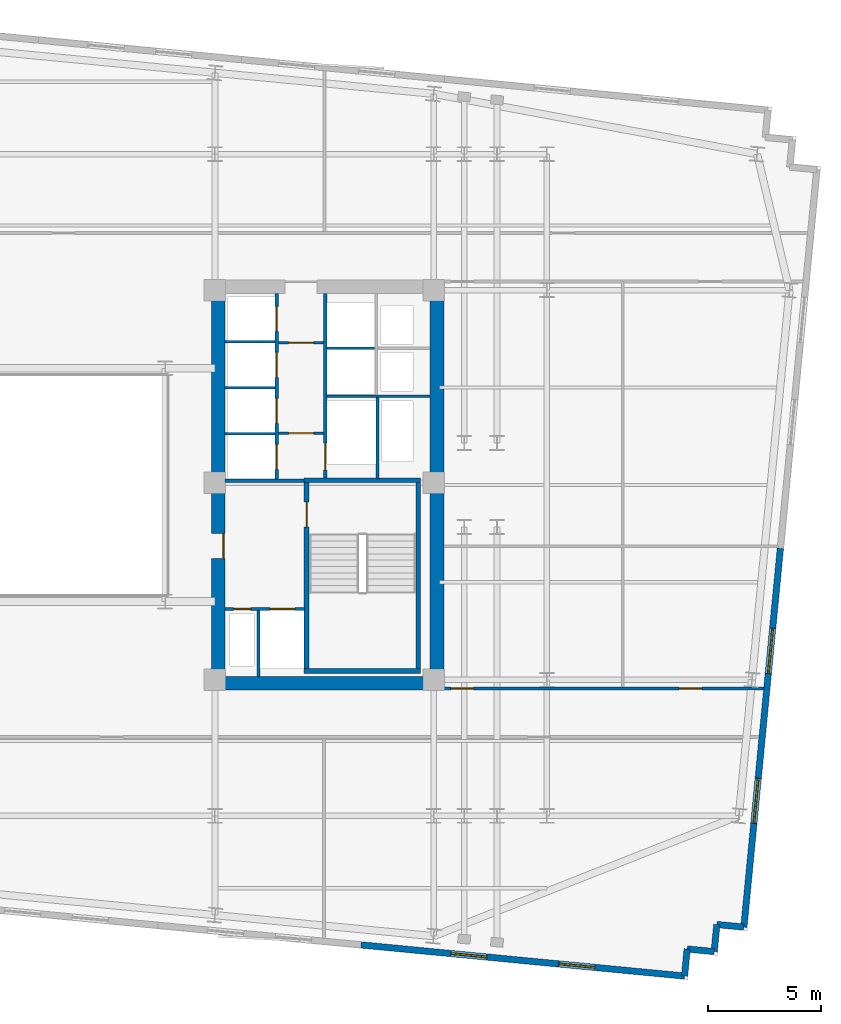
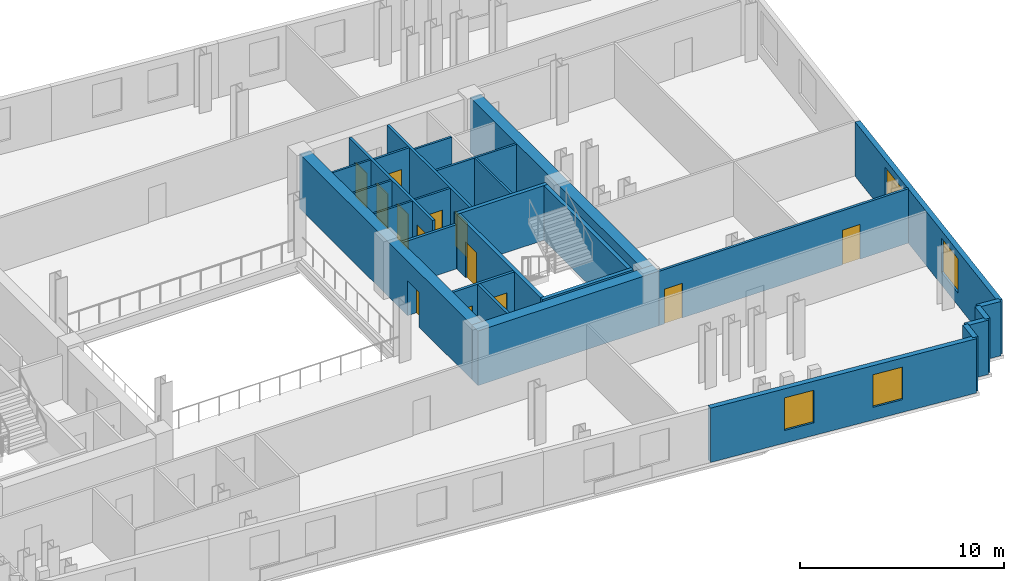
# One storey, part 5 of 9: 27 walls, 13 doors, 4 windows, 17 openings.
"""IFC4 building model written with IfcOpenShell, lengths in metres."""

import ifcopenshell
import ifcopenshell.guid

model = None  # the IFC model being written
_history = None  # IfcOwnerHistory: only IFC2X3 demands one
_inside = {}  # id of a spatial element -> (the spatial element, [elements in it])
_under = {}  # id of a project, library or spatial element -> (it, [spatial elements below it])
_declared = {}  # id of a project -> (the project, [libraries it declares])
_typed = {}  # id of a type object -> (the type object, [elements of that type])
_made_of = {}  # id of a material, layer set ... -> (it, [elements and type objects made of it])


def new_model(schema):
    """Start an empty IFC model of exactly this schema.

    Asked for "IFC4X3", IfcOpenShell would pick the latest addendum, in which some entities
    have other attributes; the version numbers below select the first issue.
    IFC2X3 requires an IfcOwnerHistory on every rooted entity: one is made here for all.
    """
    global model, _history
    if schema == "IFC4X3":
        model = ifcopenshell.file(schema_version=(4, 3, 0, 0))
    else:
        model = ifcopenshell.file(schema=schema)
    _inside.clear()
    _under.clear()
    _declared.clear()
    _typed.clear()
    _made_of.clear()
    _history = None
    if model.schema == "IFC2X3":
        org = make("IfcOrganization", Name="unknown")
        user = make(
            "IfcPersonAndOrganization",
            ThePerson=make("IfcPerson", FamilyName="unknown"),
            TheOrganization=org,
        )
        app = make(
            "IfcApplication",
            ApplicationDeveloper=org,
            Version="unknown",
            ApplicationFullName="unknown",
            ApplicationIdentifier="unknown",
        )
        _history = make(
            "IfcOwnerHistory",
            OwningUser=user,
            OwningApplication=app,
            ChangeAction="ADDED",
            CreationDate=0,
        )
    return model


def make(cls, **values):
    """One entity of the class cls with the attributes given. An attribute that is None is left unset."""
    return model.create_entity(
        cls, **{name: value for name, value in values.items() if value is not None}
    )


def rooted(cls, **values):
    """An entity with a GlobalId (a new one), such as an element, a storey or a relation."""
    return make(cls, GlobalId=ifcopenshell.guid.new(), OwnerHistory=_history, **values)


def si_unit(unit_type, name, prefix=None):
    """IfcSIUnit, for example si_unit("LENGTHUNIT", "METRE", prefix="MILLI")."""
    return make("IfcSIUnit", UnitType=unit_type, Prefix=prefix, Name=name)


def assignment(units):
    """IfcUnitAssignment: the units of a project."""
    return None if units is None else make("IfcUnitAssignment", Units=units)


def point(xyz):
    """IfcCartesianPoint."""
    return None if xyz is None else make("IfcCartesianPoint", Coordinates=xyz)


def direction(xyz):
    """IfcDirection."""
    return None if xyz is None else make("IfcDirection", DirectionRatios=xyz)


def frame(location, z_axis=None, x_axis=None):
    """IfcAxis2Placement3D, a coordinate frame: its origin and axes. An axis left out is left unset."""
    return make(
        "IfcAxis2Placement3D",
        Location=point(location),
        Axis=direction(z_axis),
        RefDirection=direction(x_axis),
    )


def frame_2d(location, x_axis=None):
    """IfcAxis2Placement2D, a coordinate frame in the plane: its origin and x axis."""
    return make(
        "IfcAxis2Placement2D", Location=point(location), RefDirection=direction(x_axis)
    )


def origin():
    """The frame at (0, 0, 0) with its axes left unset."""
    return frame((0.0, 0.0, 0.0))


def place(relative_to, where):
    """IfcLocalPlacement: puts the frame where relative to a parent placement (None: the world)."""
    return make(
        "IfcLocalPlacement", PlacementRelTo=relative_to, RelativePlacement=where
    )


def context(
    kind, dimensions, precision=None, world=None, true_north=None, identifier=None
):
    """IfcGeometricRepresentationContext, for example the 3D "Model" context."""
    return make(
        "IfcGeometricRepresentationContext",
        ContextIdentifier=identifier,
        ContextType=kind,
        CoordinateSpaceDimension=dimensions,
        Precision=precision,
        WorldCoordinateSystem=world,
        TrueNorth=true_north,
    )


def subcontext(parent, identifier, kind, view, scale=None):
    """IfcGeometricRepresentationSubContext, for example "Body" below "Model"."""
    return make(
        "IfcGeometricRepresentationSubContext",
        ContextIdentifier=identifier,
        ContextType=kind,
        ParentContext=parent,
        TargetScale=scale,
        TargetView=view,
    )


def project(units=None, contexts=None):
    """IfcProject with its units and contexts."""
    return rooted(
        "IfcProject",
        Name="project",
        RepresentationContexts=contexts,
        UnitsInContext=assignment(units),
    )


def spatial(cls, under=None, at=None, **own):
    """A site, building, storey or space (cls), placed at a placement, below another one or the project."""
    s = rooted(cls, ObjectPlacement=at, **own)
    if under is not None:
        _under.setdefault(under.id(), (under, []))[1].append(s)
    return s


def profile(cls, at=None, kind="AREA", **sizes):
    """A parametric profile (cls). Its sizes go by their IFC names, for example OverallWidth=200.0."""
    return make(cls, ProfileType=kind, Position=at, **sizes)


def rectangle(**sizes):
    """IfcRectangleProfileDef."""
    return profile("IfcRectangleProfileDef", **sizes)


def extrude(swept, where, along, depth):
    """IfcExtrudedAreaSolid: the profile swept, set in the frame where, extruded along a direction by depth."""
    return make(
        "IfcExtrudedAreaSolid",
        SweptArea=swept,
        Position=where,
        ExtrudedDirection=direction(along),
        Depth=depth,
    )


def shape(context_of_items, identifier, shape_type, items):
    """IfcShapeRepresentation: the items that make up one representation, for example the "Body"."""
    return make(
        "IfcShapeRepresentation",
        ContextOfItems=context_of_items,
        RepresentationIdentifier=identifier,
        RepresentationType=shape_type,
        Items=items,
    )


def material(Name=None, Category=None):
    """IfcMaterial."""
    return make("IfcMaterial", Name=Name, Category=Category)


def layer(
    of_material, thickness, ventilated=None, Name=None, Category=None, Priority=None
):
    """IfcMaterialLayer: one layer of a wall or slab, of a material (None: an air gap)."""
    return make(
        "IfcMaterialLayer",
        Material=of_material,
        LayerThickness=thickness,
        IsVentilated=ventilated,
        Name=Name,
        Category=Category,
        Priority=Priority,
    )


def layer_set(layers, Name=None):
    """IfcMaterialLayerSet."""
    return make("IfcMaterialLayerSet", MaterialLayers=layers, LayerSetName=Name)


def made_of(thing, what):
    """Note that an element or type object is made of a material, layer set ...; save() writes the relation."""
    if what is not None:
        _made_of.setdefault(what.id(), (what, []))[1].append(thing)
    return thing


def type_object(cls, material=None, **own):
    """A type object (cls), such as IfcWallType, which elements share."""
    return made_of(rooted(cls, **own), material)


def element(
    cls,
    number,
    at=None,
    inside=None,
    cuts=None,
    type_object=None,
    material=None,
    context=None,
    identifier="Body",
    shape_type=None,
    held_by="IfcProductDefinitionShape",
    body=None,
    shapes=None,
    **own,
):
    """One element of the class cls, such as IfcWall. Its Tag is "e" and its number.

    at: its placement. inside: the storey or other place that contains it. cuts: it is an
    opening in that element (IfcRelVoidsElement). A single representation is given by context,
    identifier, shape_type and body (its items); several are given by shapes. held_by: the class
    of the entity that holds the representations. save() writes the other relations.
    """
    e = rooted(cls, Tag="e%d" % number, ObjectPlacement=at, **own)
    if body is not None:
        shapes = [shape(context, identifier, shape_type, body)]
    if shapes is not None:
        e.Representation = make(held_by, Representations=shapes)
    if inside is not None:
        _inside.setdefault(inside.id(), (inside, []))[1].append(e)
    if cuts is not None:
        rooted(
            "IfcRelVoidsElement", RelatingBuildingElement=cuts, RelatedOpeningElement=e
        )
    if type_object is not None:
        _typed.setdefault(type_object.id(), (type_object, []))[1].append(e)
    return made_of(e, material)


def fill(opening, filler):
    """IfcRelFillsElement: the door or window that sits in an opening."""
    return rooted(
        "IfcRelFillsElement",
        RelatingOpeningElement=opening,
        RelatedBuildingElement=filler,
    )


def aggregate(whole, parts):
    """IfcRelAggregates: a whole, such as a stair, and the parts it consists of."""
    return rooted("IfcRelAggregates", RelatingObject=whole, RelatedObjects=parts)


def save(model, path):
    """Write the relations noted so far, then the file.

    IfcRelAggregates (storeys below a building ...), IfcRelContainedInSpatialStructure (elements
    in a storey), IfcRelDefinesByType, IfcRelAssociatesMaterial and IfcRelDeclares: one each for
    every whole, place, type object, material and project.
    """
    for whole, parts in _under.values():
        aggregate(whole, parts)
    for where, things in _inside.values():
        rooted(
            "IfcRelContainedInSpatialStructure",
            RelatedElements=things,
            RelatingStructure=where,
        )
    for kind, things in _typed.values():
        rooted("IfcRelDefinesByType", RelatedObjects=things, RelatingType=kind)
    for what, things in _made_of.values():
        rooted("IfcRelAssociatesMaterial", RelatedObjects=things, RelatingMaterial=what)
    for by, libraries in _declared.values():
        rooted("IfcRelDeclares", RelatingContext=by, RelatedDefinitions=libraries)
    model.write(path)


model = new_model("IFC4")

# Units and contexts
model_context = context("Model", 3, precision=1e-05, world=origin(), true_north=direction((0.0, 1.0)))
body_context = subcontext(model_context, "Body", "Model", "MODEL_VIEW")
ifc_project = project(units=[si_unit("LENGTHUNIT", "METRE"), si_unit("AREAUNIT", "SQUARE_METRE"), si_unit("VOLUMEUNIT", "CUBIC_METRE"), si_unit("PLANEANGLEUNIT", "RADIAN"), si_unit("MASSUNIT", "GRAM", prefix="KILO")], contexts=[model_context])

# Site, building, storey
site_placement = place(None, origin())
site = spatial("IfcSite", under=ifc_project, at=site_placement, CompositionType="ELEMENT")
building_placement = place(site_placement, origin())
building = spatial("IfcBuilding", under=site, at=building_placement, Name="Velakula Bourse", CompositionType="ELEMENT")
storey_placement = place(building_placement, frame((0.0, 0.0, 167.300048828125)))
storey = spatial("IfcBuildingStorey", under=building, at=storey_placement, Name="L45", CompositionType="ELEMENT", Elevation=167.300048828125)

# Wall, opening, door
ifc_material_1 = material(Name="Concrete M50 (fck 50 MPa)", Category="concrete")
ifc_layer_1 = layer(ifc_material_1, 0.2099609375, Name="Concrete M50 (fck 50 MPa)", Category="concrete")
ifc_layer_set_1 = layer_set([ifc_layer_1], Name="Concrete M50 (fck 50 MPa)")
wall_type_1 = type_object("IfcWallType", Name="WL-CORE-210", PredefinedType="SHEAR", material=ifc_layer_set_1)
wall_1_placement = place(storey_placement, frame((12.9951171875, -8.10009765625, 0.0), z_axis=(0.0, 0.0, 1.0), x_axis=(0.0, 1.0, 0.0)))
wall_1 = element("IfcWall", 1, at=wall_1_placement, inside=storey, type_object=wall_type_1, Name="L45 Core E Stairwell Shear Wall IN", PredefinedType="SHEAR", context=body_context, shape_type="SweptSolid", body=[
    extrude(rectangle(XDim=8.2001953125, YDim=0.2099609375, at=frame_2d((4.10009765625, 0.0))), origin(), (0.0, 0.0, 1.0), 3.27001953125),
])
opening_1_placement = place(wall_1_placement, frame((6.25, 0.0, 0.0)))
opening_1 = element("IfcOpeningElement", 2, at=opening_1_placement, cuts=wall_1, Name="Opening D-STE1", PredefinedType="OPENING", context=body_context, shape_type="SweptSolid", body=[
    extrude(rectangle(XDim=1.10009765625, YDim=2.14990234375, at=frame_2d((0.550048828125, 1.074951171875))), frame((0.0, 0.114990234375, 0.0), z_axis=(0.0, -1.0, 0.0), x_axis=(1.0, 0.0, 0.0)), (0.0, 0.0, 1.0), 0.22998046875),
])
ifc_material_2 = material(Name="Galvanised painted hollow steel fire door", Category="steel")
door_type_1 = type_object("IfcDoorType", Name="DR-FD120-1100x2150", OperationType="NOTDEFINED", PredefinedType="DOOR", material=ifc_material_2)
door_1_placement = place(opening_1_placement, origin())
door_1 = element("IfcDoor", 3, at=door_1_placement, inside=storey, type_object=door_type_1, Name="L45 Stair ST-E1 Fire Door", OperationType="SINGLE_SWING_RIGHT", OverallHeight=2.14990234375, OverallWidth=1.10009765625, PredefinedType="DOOR", context=body_context, shape_type="SweptSolid", body=[
    extrude(rectangle(XDim=1.10009765625, YDim=2.14990234375, at=frame_2d((0.550048828125, 1.074951171875))), frame((0.0, 0.02490234375, 0.0), z_axis=(0.0, -1.0, 0.0), x_axis=(1.0, 0.0, 0.0)), (0.0, 0.0, 1.0), 0.050048828125),
])
fill(opening_1, door_1)

# Walls
wall_2_placement = place(storey_placement, frame((17.925048828125, -8.10009765625, 0.0), z_axis=(0.0, 0.0, 1.0), x_axis=(0.0, 1.0, 0.0)))
element("IfcWall", 4, at=wall_2_placement, inside=storey, type_object=wall_type_1, Name="L45 Core E Stairwell Shear Wall OUT", PredefinedType="SHEAR", context=body_context, shape_type="SweptSolid", body=[
    extrude(rectangle(XDim=8.2001953125, YDim=0.2099609375, at=frame_2d((4.10009765625, 0.0))), origin(), (0.0, 0.0, 1.0), 3.27001953125),
])
for number, where, z_axis, x_axis, name in (
    (5, (12.889892578125, -8.205078125, 0.0), (0.0, 0.0, 1.0), (1.0, 0.0, 0.0), "L45 Core E Stairwell Shear Wall S"),
    (6, (18.030029296875, 0.205078125, 0.0), (0.0, 0.0, 1.0), (-1.0, 0.0, 0.0), "L45 Core E Stairwell Shear Wall N"),
):
    element("IfcWall", number, at=place(storey_placement, frame(where, z_axis=z_axis, x_axis=x_axis)), inside=storey, type_object=wall_type_1, Name=name, PredefinedType="SHEAR", context=body_context, shape_type="SweptSolid", body=[
        extrude(rectangle(XDim=5.14013671875, YDim=0.2099609375, at=frame_2d((2.570068359375, 0.0))), origin(), (0.0, 0.0, 1.0), 3.27001953125),
    ])
ifc_material_3 = material(Name="Concrete M70 (fck 70 MPa)", Category="concrete")
ifc_layer_2 = layer(ifc_material_3, 0.60009765625, Name="Concrete M70 (fck 70 MPa)", Category="concrete")
ifc_layer_set_2 = layer_set([ifc_layer_2], Name="Concrete M70 (fck 70 MPa)")
wall_type_2 = type_object("IfcWallType", Name="WL-CORE-600", PredefinedType="SHEAR", material=ifc_layer_set_2)
wall_3_placement = place(storey_placement, frame((8.800048828125, -8.75, 0.0), z_axis=(0.0, 0.0, 1.0), x_axis=(1.0, 0.0, 0.0)))
element("IfcWall", 7, at=wall_3_placement, inside=storey, type_object=wall_type_2, Name="L45 Core E Shear Wall S", PredefinedType="SHEAR", context=body_context, shape_type="SweptSolid", body=[
    extrude(rectangle(XDim=10.25, YDim=0.60009765625, at=frame_2d((5.125, 0.0))), origin(), (0.0, 0.0, 1.0), 3.27001953125),
])

# Wall, opening, door
wall_4_placement = place(storey_placement, frame((9.10009765625, -8.449951171875, 0.0), z_axis=(0.0, 0.0, 1.0), x_axis=(0.0, 1.0, 0.0)))
wall_4 = element("IfcWall", 8, at=wall_4_placement, inside=storey, type_object=wall_type_2, Name="L45 Core E Shear Wall W", PredefinedType="SHEAR", context=body_context, shape_type="SweptSolid", body=[
    extrude(rectangle(XDim=16.89990234375, YDim=0.60009765625, at=frame_2d((8.449951171875, 0.0))), origin(), (0.0, 0.0, 1.0), 3.27001953125),
])
opening_2_placement = place(wall_4_placement, frame((5.199951171875, 0.0, 0.0)))
opening_2 = element("IfcOpeningElement", 9, at=opening_2_placement, cuts=wall_4, Name="Opening D-FLE", PredefinedType="OPENING", context=body_context, shape_type="SweptSolid", body=[
    extrude(rectangle(XDim=1.10009765625, YDim=2.080078125, at=frame_2d((0.550048828125, 1.0400390625))), frame((0.0, 0.31005859375, 0.0), z_axis=(0.0, -1.0, 0.0), x_axis=(1.0, 0.0, 0.0)), (0.0, 0.0, 1.0), 0.6201171875),
])
door_type_2 = type_object("IfcDoorType", Name="DR-FD120-1100", OperationType="NOTDEFINED", PredefinedType="DOOR", material=ifc_material_2)
door_2_placement = place(opening_2_placement, origin())
door_2 = element("IfcDoor", 10, at=door_2_placement, inside=storey, type_object=door_type_2, Name="L45 Firefighting Lobby E Corridor Fire Door", OperationType="SINGLE_SWING_RIGHT", OverallHeight=2.080078125, OverallWidth=1.10009765625, PredefinedType="DOOR", context=body_context, shape_type="SweptSolid", body=[
    extrude(rectangle(XDim=1.10009765625, YDim=2.080078125, at=frame_2d((0.550048828125, 1.0400390625))), frame((0.0, -0.205078125, 0.0), z_axis=(0.0, -1.0, 0.0), x_axis=(1.0, 0.0, 0.0)), (0.0, 0.0, 1.0), 0.050048828125),
])
fill(opening_2, door_2)

# Wall
wall_5_placement = place(storey_placement, frame((18.75, -8.449951171875, 0.0), z_axis=(0.0, 0.0, 1.0), x_axis=(0.0, 1.0, 0.0)))
element("IfcWall", 11, at=wall_5_placement, inside=storey, type_object=wall_type_2, Name="L45 Core E Shear Wall E", PredefinedType="SHEAR", context=body_context, shape_type="SweptSolid", body=[
    extrude(rectangle(XDim=16.89990234375, YDim=0.60009765625, at=frame_2d((8.449951171875, 0.0))), origin(), (0.0, 0.0, 1.0), 3.27001953125),
])

# Wall, openings, windows
ifc_material_4 = material(Name="Red kilned clay facing brick masonry", Category="masonry")
ifc_layer_3 = layer(ifc_material_4, 0.280029296875, Name="Red kilned clay facing brick masonry", Category="masonry")
ifc_layer_set_3 = layer_set([ifc_layer_3], Name="Red kilned clay facing brick masonry")
wall_type_3 = type_object("IfcWallType", Name="WL-EXT-BRK-280", PredefinedType="STANDARD", material=ifc_layer_set_3)
wall_6_placement = place(storey_placement, frame((29.672607421875, -21.669921875, 0.0), z_axis=(0.0, 0.0, 1.0), x_axis=(-0.995397230529, 0.095835032509, 0.0)))
wall_6 = element("IfcWall", 12, at=wall_6_placement, inside=storey, type_object=wall_type_3, Name="L45 S Brick Spandrel Wall B5", PredefinedType="STANDARD", context=body_context, shape_type="SweptSolid", body=[
    extrude(rectangle(XDim=14.33984375, YDim=0.280029296875, at=frame_2d((7.169921875, 0.0))), origin(), (0.0, 0.0, 1.0), 3.25),
])
opening_3_placement = place(wall_6_placement, frame((3.97998046875, 0.0, 0.760009765625)))
opening_3 = element("IfcOpeningElement", 13, at=opening_3_placement, cuts=wall_6, Name="Opening W-02", PredefinedType="OPENING", context=body_context, shape_type="SweptSolid", body=[
    extrude(rectangle(XDim=1.60009765625, YDim=1.949951171875, at=frame_2d((0.800048828125, 0.97509765625))), frame((0.0, 0.14990234375, 0.0), z_axis=(0.0, -1.0, 0.0), x_axis=(1.0, 0.0, 0.0)), (0.0, 0.0, 1.0), 0.300048828125),
])
opening_4_placement = place(wall_6_placement, frame((8.760009765625, 0.0, 0.760009765625)))
opening_4 = element("IfcOpeningElement", 14, at=opening_4_placement, cuts=wall_6, Name="Opening W-02", PredefinedType="OPENING", context=body_context, shape_type="SweptSolid", body=[
    extrude(rectangle(XDim=1.60009765625, YDim=1.949951171875, at=frame_2d((0.800048828125, 0.97509765625))), frame((0.0, 0.14990234375, 0.0), z_axis=(0.0, -1.0, 0.0), x_axis=(1.0, 0.0, 0.0)), (0.0, 0.0, 1.0), 0.300048828125),
])
ifc_material_5 = material(Name="Double-glazed solar-control Low-E glass", Category="glass")
window_type_1 = type_object("IfcWindowType", Name="WIN-TWR-1600x2100", PartitioningType="SINGLE_PANEL", PredefinedType="WINDOW", material=ifc_material_5)
window_1_placement = place(opening_3_placement, origin())
window_1 = element("IfcWindow", 15, at=window_1_placement, inside=storey, type_object=window_type_1, Name="L45 Deep-Set Recessed Window 1", OverallHeight=1.949951171875, OverallWidth=1.60009765625, PartitioningType="SINGLE_PANEL", PredefinedType="WINDOW", context=body_context, shape_type="SweptSolid", body=[
    extrude(rectangle(XDim=1.60009765625, YDim=1.949951171875, at=frame_2d((0.800048828125, 0.97509765625))), frame((0.0, 0.030029296875, 0.0), z_axis=(0.0, -1.0, 0.0), x_axis=(1.0, 0.0, 0.0)), (0.0, 0.0, 1.0), 0.06005859375),
])
fill(opening_3, window_1)
window_2_placement = place(opening_4_placement, origin())
window_2 = element("IfcWindow", 16, at=window_2_placement, inside=storey, type_object=window_type_1, Name="L45 Deep-Set Recessed Window 2", OverallHeight=1.949951171875, OverallWidth=1.60009765625, PartitioningType="SINGLE_PANEL", PredefinedType="WINDOW", context=body_context, shape_type="SweptSolid", body=[
    extrude(rectangle(XDim=1.60009765625, YDim=1.949951171875, at=frame_2d((0.800048828125, 0.97509765625))), frame((0.0, 0.030029296875, 0.0), z_axis=(0.0, -1.0, 0.0), x_axis=(1.0, 0.0, 0.0)), (0.0, 0.0, 1.0), 0.06005859375),
])
fill(opening_4, window_2)

wall_7_placement = place(storey_placement, frame((33.90087890625, -2.79833984375, 0.0), z_axis=(0.0, 0.0, 1.0), x_axis=(-0.095853434568, -0.99539545864, 0.0)))
wall_7 = element("IfcWall", 17, at=wall_7_placement, inside=storey, type_object=wall_type_3, Name="L45 E Brick End Wall W1", PredefinedType="STANDARD", context=body_context, shape_type="SweptSolid", body=[
    extrude(rectangle(XDim=16.7900390625, YDim=0.280029296875, at=frame_2d((8.39501953125, 0.0))), origin(), (0.0, 0.0, 1.0), 3.25),
])
opening_5_placement = place(wall_7_placement, frame((3.546630859375, 0.0, 0.760009765625)))
opening_5 = element("IfcOpeningElement", 18, at=opening_5_placement, cuts=wall_7, Name="Opening W-05", PredefinedType="OPENING", context=body_context, shape_type="SweptSolid", body=[
    extrude(rectangle(XDim=2.0, YDim=2.050048828125, at=frame_2d((1.0, 1.02490234375))), frame((0.0, 0.14990234375, 0.0), z_axis=(0.0, -1.0, 0.0), x_axis=(1.0, 0.0, 0.0)), (0.0, 0.0, 1.0), 0.300048828125),
])
opening_6_placement = place(wall_7_placement, frame((10.193359375, 0.0, 0.760009765625)))
opening_6 = element("IfcOpeningElement", 19, at=opening_6_placement, cuts=wall_7, Name="Opening W-05", PredefinedType="OPENING", context=body_context, shape_type="SweptSolid", body=[
    extrude(rectangle(XDim=2.0, YDim=2.050048828125, at=frame_2d((1.0, 1.02490234375))), frame((0.0, 0.14990234375, 0.0), z_axis=(0.0, -1.0, 0.0), x_axis=(1.0, 0.0, 0.0)), (0.0, 0.0, 1.0), 0.300048828125),
])
window_type_2 = type_object("IfcWindowType", Name="WIN-TWR-2000x2200", PartitioningType="DOUBLE_PANEL_VERTICAL", PredefinedType="WINDOW", material=ifc_material_5)
window_3_placement = place(opening_5_placement, origin())
window_3 = element("IfcWindow", 20, at=window_3_placement, inside=storey, type_object=window_type_2, Name="L45 Deep-Set Recessed Window 1", OverallHeight=2.050048828125, OverallWidth=2.0, PartitioningType="DOUBLE_PANEL_VERTICAL", PredefinedType="WINDOW", context=body_context, shape_type="SweptSolid", body=[
    extrude(rectangle(XDim=2.0, YDim=2.050048828125, at=frame_2d((1.0, 1.02490234375))), frame((0.0, 0.030029296875, 0.0), z_axis=(0.0, -1.0, 0.0), x_axis=(1.0, 0.0, 0.0)), (0.0, 0.0, 1.0), 0.06005859375),
])
fill(opening_5, window_3)
window_4_placement = place(opening_6_placement, origin())
window_4 = element("IfcWindow", 21, at=window_4_placement, inside=storey, type_object=window_type_2, Name="L45 Deep-Set Recessed Window 2", OverallHeight=2.050048828125, OverallWidth=2.0, PartitioningType="DOUBLE_PANEL_VERTICAL", PredefinedType="WINDOW", context=body_context, shape_type="SweptSolid", body=[
    extrude(rectangle(XDim=2.0, YDim=2.050048828125, at=frame_2d((1.0, 1.02490234375))), frame((0.0, 0.030029296875, 0.0), z_axis=(0.0, -1.0, 0.0), x_axis=(1.0, 0.0, 0.0)), (0.0, 0.0, 1.0), 0.06005859375),
])
fill(opening_6, window_4)

# Walls
for number, where, z_axis, x_axis, name in (
    (22, (29.672607421875, -21.669921875, 0.0), (0.0, 0.0, 1.0), (0.095836473879, 0.995397091755, 0.0), "L45 Serrated Corner Brick Wall SE-1"),
    (23, (29.78759765625, -20.4755859375, 0.0), (0.0, 0.0, 1.0), (0.995397091755, -0.095836473879, 0.0), "L45 Serrated Corner Brick Wall SE-2"),
):
    element("IfcWall", number, at=place(storey_placement, frame(where, z_axis=z_axis, x_axis=x_axis)), inside=storey, type_object=wall_type_3, Name=name, PredefinedType="STANDARD", context=body_context, shape_type="SweptSolid", body=[
        extrude(rectangle(XDim=1.199951171875, YDim=0.280029296875, at=frame_2d((0.60009765625, 0.0))), origin(), (0.0, 0.0, 1.0), 3.25),
    ])
wall_8_placement = place(storey_placement, frame((30.98193359375, -20.590576171875, 0.0), z_axis=(0.0, 0.0, 1.0), x_axis=(0.096018626938, 0.995379537303, 0.0)))
element("IfcWall", 24, at=wall_8_placement, inside=storey, type_object=wall_type_3, Name="L45 Serrated Corner Brick Wall SE-3", PredefinedType="STANDARD", context=body_context, shape_type="SweptSolid", body=[
    extrude(rectangle(XDim=1.2001953125, YDim=0.280029296875, at=frame_2d((0.60009765625, 0.0))), origin(), (0.0, 0.0, 1.0), 3.25),
])
wall_9_placement = place(storey_placement, frame((31.09716796875, -19.39599609375, 0.0), z_axis=(0.0, 0.0, 1.0), x_axis=(0.995397091755, -0.095836473879, 0.0)))
element("IfcWall", 25, at=wall_9_placement, inside=storey, type_object=wall_type_3, Name="L45 Serrated Corner Brick Wall SE-4", PredefinedType="STANDARD", context=body_context, shape_type="SweptSolid", body=[
    extrude(rectangle(XDim=1.199951171875, YDim=0.280029296875, at=frame_2d((0.60009765625, 0.0))), origin(), (0.0, 0.0, 1.0), 3.25),
])

# Wall, opening, door
ifc_material_6 = material(Name="Fire-rated double-layer gypsum drywall partition", Category="gypsum")
ifc_layer_4 = layer(ifc_material_6, 0.1201171875, Name="Fire-rated double-layer gypsum drywall partition", Category="gypsum")
ifc_layer_set_4 = layer_set([ifc_layer_4], Name="Fire-rated double-layer gypsum drywall partition")
wall_type_4 = type_object("IfcWallType", Name="WL-PART-120", PredefinedType="STANDARD", material=ifc_layer_set_4)
wall_10_placement = place(storey_placement, frame((11.75, 2.280029296875, 0.0), z_axis=(0.0, 0.0, 1.0), x_axis=(1.0, 0.0, 0.0)))
wall_10 = element("IfcWall", 26, at=wall_10_placement, inside=storey, type_object=wall_type_4, Name="L45 Interior Partition WL-CRE-L45-LL-K3A", PredefinedType="STANDARD", context=body_context, shape_type="SweptSolid", body=[
    extrude(rectangle(XDim=2.0, YDim=0.1201171875, at=frame_2d((1.0, 0.0))), origin(), (0.0, 0.0, 1.0), 3.25),
])
opening_7_placement = place(wall_10_placement, frame((0.449951171875, 0.0, 0.0)))
opening_7 = element("IfcOpeningElement", 27, at=opening_7_placement, cuts=wall_10, Name="Opening D-LK3", PredefinedType="OPENING", context=body_context, shape_type="SweptSolid", body=[
    extrude(rectangle(XDim=1.10009765625, YDim=2.10009765625, at=frame_2d((0.550048828125, 1.050048828125))), frame((0.0, 0.070068359375, 0.0), z_axis=(0.0, -1.0, 0.0), x_axis=(1.0, 0.0, 0.0)), (0.0, 0.0, 1.0), 0.14013671875),
])
ifc_material_7 = material(Name="Fire-rated hardwood flush architectural door", Category="wood")
door_type_3 = type_object("IfcDoorType", Name="DR-FD60-1100x2100", OperationType="NOTDEFINED", PredefinedType="DOOR", material=ifc_material_7)
door_3_placement = place(opening_7_placement, origin())
door_3 = element("IfcDoor", 28, at=door_3_placement, inside=storey, type_object=door_type_3, Name="L45 Core E Lift Lobby Vestibule Door A", OperationType="SINGLE_SWING_LEFT", OverallHeight=2.10009765625, OverallWidth=1.10009765625, PredefinedType="DOOR", context=body_context, shape_type="SweptSolid", body=[
    extrude(rectangle(XDim=1.10009765625, YDim=2.10009765625, at=frame_2d((0.550048828125, 1.050048828125))), frame((0.0, 0.02490234375, 0.0), z_axis=(0.0, -1.0, 0.0), x_axis=(1.0, 0.0, 0.0)), (0.0, 0.0, 1.0), 0.050048828125),
])
fill(opening_7, door_3)

wall_11_placement = place(storey_placement, frame((11.75, 6.280029296875, 0.0), z_axis=(0.0, 0.0, 1.0), x_axis=(1.0, 0.0, 0.0)))
wall_11 = element("IfcWall", 29, at=wall_11_placement, inside=storey, type_object=wall_type_4, Name="L45 Interior Partition WL-CRE-L45-LL-K3B", PredefinedType="STANDARD", context=body_context, shape_type="SweptSolid", body=[
    extrude(rectangle(XDim=2.0, YDim=0.1201171875, at=frame_2d((1.0, 0.0))), origin(), (0.0, 0.0, 1.0), 3.25),
])
opening_8_placement = place(wall_11_placement, frame((0.449951171875, 0.0, 0.0)))
opening_8 = element("IfcOpeningElement", 30, at=opening_8_placement, cuts=wall_11, Name="Opening D-LK3", PredefinedType="OPENING", context=body_context, shape_type="SweptSolid", body=[
    extrude(rectangle(XDim=1.10009765625, YDim=2.10009765625, at=frame_2d((0.550048828125, 1.050048828125))), frame((0.0, 0.070068359375, 0.0), z_axis=(0.0, -1.0, 0.0), x_axis=(1.0, 0.0, 0.0)), (0.0, 0.0, 1.0), 0.14013671875),
])
door_4_placement = place(opening_8_placement, origin())
door_4 = element("IfcDoor", 31, at=door_4_placement, inside=storey, type_object=door_type_3, Name="L45 Core E Lift Lobby Vestibule Door B", OperationType="SINGLE_SWING_LEFT", OverallHeight=2.10009765625, OverallWidth=1.10009765625, PredefinedType="DOOR", context=body_context, shape_type="SweptSolid", body=[
    extrude(rectangle(XDim=1.10009765625, YDim=2.10009765625, at=frame_2d((0.550048828125, 1.050048828125))), frame((0.0, 0.02490234375, 0.0), z_axis=(0.0, -1.0, 0.0), x_axis=(1.0, 0.0, 0.0)), (0.0, 0.0, 1.0), 0.050048828125),
])
fill(opening_8, door_4)

# Walls
for number, where, z_axis, x_axis, name in (
    (32, (9.39990234375, 2.2548828125, 0.0), (0.0, 0.0, 1.0), (1.0, 0.0, 0.0), "L45 Interior Partition WL-CRE-L45-BDIV-0"),
    (33, (9.39990234375, 4.284912109375, 0.0), (0.0, 0.0, 1.0), (1.0, 0.0, 0.0), "L45 Interior Partition WL-CRE-L45-BDIV-1"),
    (34, (9.39990234375, 6.31494140625, 0.0), (0.0, 0.0, 1.0), (1.0, 0.0, 0.0), "L45 Interior Partition WL-CRE-L45-BDIV-2"),
):
    element("IfcWall", number, at=place(storey_placement, frame(where, z_axis=z_axis, x_axis=x_axis)), inside=storey, type_object=wall_type_4, Name=name, PredefinedType="STANDARD", context=body_context, shape_type="SweptSolid", body=[
        extrude(rectangle(XDim=2.2001953125, YDim=0.110107421875, at=frame_2d((1.10009765625, 0.0))), origin(), (0.0, 0.0, 1.0), 3.25),
    ])
wall_12_placement = place(storey_placement, frame((13.89990234375, 3.919921875, 0.0), z_axis=(0.0, 0.0, 1.0), x_axis=(1.0, 0.0, 0.0)))
element("IfcWall", 35, at=wall_12_placement, inside=storey, type_object=wall_type_4, Name="L45 Interior Partition WL-CRE-L45-HI-S", PredefinedType="STANDARD", context=body_context, shape_type="SweptSolid", body=[
    extrude(rectangle(XDim=4.550048828125, YDim=0.1201171875, at=frame_2d((2.27490234375, 0.0))), origin(), (0.0, 0.0, 1.0), 3.25),
])
wall_13_placement = place(storey_placement, frame((13.89990234375, 6.030029296875, 0.0), z_axis=(0.0, 0.0, 1.0), x_axis=(1.0, 0.0, 0.0)))
element("IfcWall", 36, at=wall_13_placement, inside=storey, type_object=wall_type_4, Name="L45 Interior Partition WL-CRE-L45-HI-DIV", PredefinedType="STANDARD", context=body_context, shape_type="SweptSolid", body=[
    extrude(rectangle(XDim=2.10009765625, YDim=0.1201171875, at=frame_2d((1.050048828125, 0.0))), origin(), (0.0, 0.0, 1.0), 3.25),
])
wall_14_placement = place(storey_placement, frame((16.125, 0.27001953125, 0.0), z_axis=(0.0, 0.0, 1.0), x_axis=(0.0, 1.0, 0.0)))
element("IfcWall", 37, at=wall_14_placement, inside=storey, type_object=wall_type_4, Name="L45 Interior Partition WL-CRE-L45-SVL-E", PredefinedType="STANDARD", context=body_context, shape_type="SweptSolid", body=[
    extrude(rectangle(XDim=3.590087890625, YDim=0.1201171875, at=frame_2d((1.794921875, 0.0))), origin(), (0.0, 0.0, 1.0), 3.25),
])

# Wall, openings, doors
ifc_layer_5 = layer(ifc_material_6, 0.139892578125, Name="Fire-rated double-layer gypsum drywall partition", Category="gypsum")
ifc_layer_set_5 = layer_set([ifc_layer_5], Name="Fire-rated double-layer gypsum drywall partition")
wall_type_5 = type_object("IfcWallType", Name="WL-PART-140", PredefinedType="STANDARD", material=ifc_layer_set_5)
wall_15_placement = place(storey_placement, frame((19.050048828125, -8.97998046875, 0.0), z_axis=(0.0, 0.0, 1.0), x_axis=(1.0, 0.0, 0.0)))
wall_15 = element("IfcWall", 38, at=wall_15_placement, inside=storey, type_object=wall_type_5, Name="L45 Interior Partition WL-INT-L45-E-SC", PredefinedType="STANDARD", context=body_context, shape_type="SweptSolid", body=[
    extrude(rectangle(XDim=14.135009765625, YDim=0.139892578125, at=frame_2d((7.0673828125, 0.0))), origin(), (0.0, 0.0, 1.0), 3.25),
])
opening_9_placement = place(wall_15_placement, frame((0.320068359375, 0.0, 0.0)))
opening_9 = element("IfcOpeningElement", 39, at=opening_9_placement, cuts=wall_15, Name="Opening D-OF1", PredefinedType="OPENING", context=body_context, shape_type="SweptSolid", body=[
    extrude(rectangle(XDim=1.0, YDim=2.080078125, at=frame_2d((0.5, 1.0400390625))), frame((0.0, 0.079833984375, 0.0), z_axis=(0.0, -1.0, 0.0), x_axis=(1.0, 0.0, 0.0)), (0.0, 0.0, 1.0), 0.159912109375),
])
opening_10_placement = place(wall_15_placement, frame((10.388427734375, 0.0, 0.0)))
opening_10 = element("IfcOpeningElement", 40, at=opening_10_placement, cuts=wall_15, Name="Opening D-OF1", PredefinedType="OPENING", context=body_context, shape_type="SweptSolid", body=[
    extrude(rectangle(XDim=1.0, YDim=2.080078125, at=frame_2d((0.5, 1.0400390625))), frame((0.0, 0.079833984375, 0.0), z_axis=(0.0, -1.0, 0.0), x_axis=(1.0, 0.0, 0.0)), (0.0, 0.0, 1.0), 0.159912109375),
])
door_type_4 = type_object("IfcDoorType", Name="DR-OFF-1000", OperationType="NOTDEFINED", PredefinedType="DOOR", material=ifc_material_7)
door_5_placement = place(opening_9_placement, origin())
door_5 = element("IfcDoor", 41, at=door_5_placement, inside=storey, type_object=door_type_4, Name="L45 General Counsel Office Door", OperationType="SINGLE_SWING_LEFT", OverallHeight=2.080078125, OverallWidth=1.0, PredefinedType="DOOR", context=body_context, shape_type="SweptSolid", body=[
    extrude(rectangle(XDim=1.0, YDim=2.080078125, at=frame_2d((0.5, 1.0400390625))), frame((0.0, 0.02490234375, 0.0), z_axis=(0.0, -1.0, 0.0), x_axis=(1.0, 0.0, 0.0)), (0.0, 0.0, 1.0), 0.050048828125),
])
fill(opening_9, door_5)
door_6_placement = place(opening_10_placement, origin())
door_6 = element("IfcDoor", 42, at=door_6_placement, inside=storey, type_object=door_type_4, Name="L45 Risk Review Boardroom Door", OperationType="SINGLE_SWING_RIGHT", OverallHeight=2.080078125, OverallWidth=1.0, PredefinedType="DOOR", context=body_context, shape_type="SweptSolid", body=[
    extrude(rectangle(XDim=1.0, YDim=2.080078125, at=frame_2d((0.5, 1.0400390625))), frame((0.0, 0.02490234375, 0.0), z_axis=(0.0, -1.0, 0.0), x_axis=(1.0, 0.0, 0.0)), (0.0, 0.0, 1.0), 0.050048828125),
])
fill(opening_10, door_6)

ifc_material_8 = material(Name="Autoclaved aerated concrete blockwork masonry", Category="masonry")
ifc_layer_6 = layer(ifc_material_8, 0.14990234375, Name="Autoclaved aerated concrete blockwork masonry", Category="masonry")
ifc_layer_set_6 = layer_set([ifc_layer_6], Name="Autoclaved aerated concrete blockwork masonry")
wall_type_6 = type_object("IfcWallType", Name="WL-SHAFT-150", PredefinedType="STANDARD", material=ifc_layer_set_6)
wall_16_placement = place(storey_placement, frame((9.39990234375, -5.47509765625, 0.0), z_axis=(0.0, 0.0, 1.0), x_axis=(1.0, 0.0, 0.0)))
wall_16 = element("IfcWall", 43, at=wall_16_placement, inside=storey, type_object=wall_type_6, Name="L45 Interior Partition WL-CRE-L45-FFL-N", PredefinedType="STANDARD", context=body_context, shape_type="SweptSolid", body=[
    extrude(rectangle(XDim=3.4951171875, YDim=0.14990234375, at=frame_2d((1.74755859375, 0.0))), origin(), (0.0, 0.0, 1.0), 3.25),
])
opening_11_placement = place(wall_16_placement, frame((1.97509765625, 0.0, 0.0)))
opening_11 = element("IfcOpeningElement", 44, at=opening_11_placement, cuts=wall_16, Name="Opening LD-FFL-2", PredefinedType="OPENING", context=body_context, shape_type="SweptSolid", body=[
    extrude(rectangle(XDim=1.10009765625, YDim=2.14990234375, at=frame_2d((0.550048828125, 1.074951171875))), frame((0.0, 0.0849609375, 0.0), z_axis=(0.0, -1.0, 0.0), x_axis=(1.0, 0.0, 0.0)), (0.0, 0.0, 1.0), 0.169921875),
])
opening_12_placement = place(wall_16_placement, frame((0.375, 0.0, 0.0)))
opening_12 = element("IfcOpeningElement", 45, at=opening_12_placement, cuts=wall_16, Name="Opening D-RS1", PredefinedType="OPENING", context=body_context, shape_type="SweptSolid", body=[
    extrude(rectangle(XDim=0.75, YDim=2.050048828125, at=frame_2d((0.375, 1.02490234375))), frame((0.0, 0.0849609375, 0.0), z_axis=(0.0, -1.0, 0.0), x_axis=(1.0, 0.0, 0.0)), (0.0, 0.0, 1.0), 0.169921875),
])
door_type_5 = type_object("IfcDoorType", Name="DR-RISER-800", OperationType="NOTDEFINED", PredefinedType="DOOR", material=ifc_material_2)
door_7_placement = place(opening_12_placement, origin())
door_7 = element("IfcDoor", 46, at=door_7_placement, inside=storey, type_object=door_type_5, Name="L45 Fire Riser Access Door", OperationType="SINGLE_SWING_LEFT", OverallHeight=2.050048828125, OverallWidth=0.75, PredefinedType="DOOR", context=body_context, shape_type="SweptSolid", body=[
    extrude(rectangle(XDim=0.75, YDim=2.050048828125, at=frame_2d((0.375, 1.02490234375))), frame((0.0, 0.02490234375, 0.0), z_axis=(0.0, -1.0, 0.0), x_axis=(1.0, 0.0, 0.0)), (0.0, 0.0, 1.0), 0.050048828125),
])
fill(opening_12, door_7)
ifc_material_9 = material(Name="Brushed grade 316 stainless steel", Category="steel")
door_type_6 = type_object("IfcDoorType", Name="DR-SLIDE-FFL-1100", OperationType="DOUBLE_DOOR_SLIDING", PredefinedType="DOOR", material=ifc_material_9)
door_8_placement = place(opening_11_placement, origin())
door_8 = element("IfcDoor", 47, at=door_8_placement, inside=storey, type_object=door_type_6, Name="L45 Firefighting Lift FFL-2 Sliding Landing Door", OperationType="DOUBLE_DOOR_SLIDING", OverallHeight=2.14990234375, OverallWidth=1.10009765625, PredefinedType="DOOR", context=body_context, shape_type="SweptSolid", body=[
    extrude(rectangle(XDim=1.10009765625, YDim=2.14990234375, at=frame_2d((0.550048828125, 1.074951171875))), frame((0.0, 0.02490234375, 0.0), z_axis=(0.0, -1.0, 0.0), x_axis=(1.0, 0.0, 0.0)), (0.0, 0.0, 1.0), 0.050048828125),
])
fill(opening_11, door_8)

# Walls
wall_17_placement = place(storey_placement, frame((10.875, -8.449951171875, 0.0), z_axis=(0.0, 0.0, 1.0), x_axis=(0.0, 1.0, 0.0)))
element("IfcWall", 48, at=wall_17_placement, inside=storey, type_object=wall_type_6, Name="L45 Interior Partition WL-CRE-L45-FR-DIV", PredefinedType="STANDARD", context=body_context, shape_type="SweptSolid", body=[
    extrude(rectangle(XDim=2.89990234375, YDim=0.14990234375, at=frame_2d((1.449951171875, 0.0))), origin(), (0.0, 0.0, 1.0), 3.25),
])
wall_18_placement = place(storey_placement, frame((9.39990234375, 0.18994140625, 0.0), z_axis=(0.0, 0.0, 1.0), x_axis=(1.0, 0.0, 0.0)))
element("IfcWall", 49, at=wall_18_placement, inside=storey, type_object=wall_type_6, Name="L45 Interior Partition WL-CRE-L45-FF-TOP", PredefinedType="STANDARD", context=body_context, shape_type="SweptSolid", body=[
    extrude(rectangle(XDim=3.489990234375, YDim=0.14990234375, at=frame_2d((1.7451171875, 0.0))), origin(), (0.0, 0.0, 1.0), 2.64501953125),
])

# Wall, openings, doors
wall_19_placement = place(storey_placement, frame((11.675048828125, 0.27001953125, 0.0), z_axis=(0.0, 0.0, 1.0), x_axis=(0.0, 1.0, 0.0)))
wall_19 = element("IfcWall", 50, at=wall_19_placement, inside=storey, type_object=wall_type_6, Name="L45 Interior Partition WL-CRE-L45-BANK-F", PredefinedType="STANDARD", context=body_context, shape_type="SweptSolid", body=[
    extrude(rectangle(XDim=8.179931640625, YDim=0.14990234375, at=frame_2d((4.08984375, 0.0))), origin(), (0.0, 0.0, 1.0), 3.25),
])
opening_13_placement = place(wall_19_placement, frame((0.419921875, 0.0, 0.0)))
opening_13 = element("IfcOpeningElement", 51, at=opening_13_placement, cuts=wall_19, Name="Opening LD-P5", PredefinedType="OPENING", context=body_context, shape_type="SweptSolid", body=[
    extrude(rectangle(XDim=1.10009765625, YDim=2.10009765625, at=frame_2d((0.550048828125, 1.050048828125))), frame((0.0, 0.0849609375, 0.0), z_axis=(0.0, -1.0, 0.0), x_axis=(1.0, 0.0, 0.0)), (0.0, 0.0, 1.0), 0.169921875),
])
opening_14_placement = place(wall_19_placement, frame((2.449951171875, 0.0, 0.0)))
opening_14 = element("IfcOpeningElement", 52, at=opening_14_placement, cuts=wall_19, Name="Opening LD-P6", PredefinedType="OPENING", context=body_context, shape_type="SweptSolid", body=[
    extrude(rectangle(XDim=1.10009765625, YDim=2.10009765625, at=frame_2d((0.550048828125, 1.050048828125))), frame((0.0, 0.0849609375, 0.0), z_axis=(0.0, -1.0, 0.0), x_axis=(1.0, 0.0, 0.0)), (0.0, 0.0, 1.0), 0.169921875),
])
opening_15_placement = place(wall_19_placement, frame((4.47998046875, 0.0, 0.0)))
opening_15 = element("IfcOpeningElement", 53, at=opening_15_placement, cuts=wall_19, Name="Opening LD-P7", PredefinedType="OPENING", context=body_context, shape_type="SweptSolid", body=[
    extrude(rectangle(XDim=1.10009765625, YDim=2.10009765625, at=frame_2d((0.550048828125, 1.050048828125))), frame((0.0, 0.0849609375, 0.0), z_axis=(0.0, -1.0, 0.0), x_axis=(1.0, 0.0, 0.0)), (0.0, 0.0, 1.0), 0.169921875),
])
opening_16_placement = place(wall_19_placement, frame((6.510009765625, 0.0, 0.0)))
opening_16 = element("IfcOpeningElement", 54, at=opening_16_placement, cuts=wall_19, Name="Opening LD-P8", PredefinedType="OPENING", context=body_context, shape_type="SweptSolid", body=[
    extrude(rectangle(XDim=1.10009765625, YDim=2.10009765625, at=frame_2d((0.550048828125, 1.050048828125))), frame((0.0, 0.0849609375, 0.0), z_axis=(0.0, -1.0, 0.0), x_axis=(1.0, 0.0, 0.0)), (0.0, 0.0, 1.0), 0.169921875),
])
door_type_7 = type_object("IfcDoorType", Name="DR-SLIDE-LD-1100", OperationType="DOUBLE_DOOR_SLIDING", PredefinedType="DOOR", material=ifc_material_9)
door_9_placement = place(opening_13_placement, origin())
door_9 = element("IfcDoor", 55, at=door_9_placement, inside=storey, type_object=door_type_7, Name="L45 Passenger Lift P5 Sliding Landing Door", OperationType="DOUBLE_DOOR_SLIDING", OverallHeight=2.10009765625, OverallWidth=1.10009765625, PredefinedType="DOOR", context=body_context, shape_type="SweptSolid", body=[
    extrude(rectangle(XDim=1.10009765625, YDim=2.10009765625, at=frame_2d((0.550048828125, 1.050048828125))), frame((0.0, 0.02490234375, 0.0), z_axis=(0.0, -1.0, 0.0), x_axis=(1.0, 0.0, 0.0)), (0.0, 0.0, 1.0), 0.050048828125),
])
fill(opening_13, door_9)
door_10_placement = place(opening_14_placement, origin())
door_10 = element("IfcDoor", 56, at=door_10_placement, inside=storey, type_object=door_type_7, Name="L45 Passenger Lift P6 Sliding Landing Door", OperationType="DOUBLE_DOOR_SLIDING", OverallHeight=2.10009765625, OverallWidth=1.10009765625, PredefinedType="DOOR", context=body_context, shape_type="SweptSolid", body=[
    extrude(rectangle(XDim=1.10009765625, YDim=2.10009765625, at=frame_2d((0.550048828125, 1.050048828125))), frame((0.0, 0.02490234375, 0.0), z_axis=(0.0, -1.0, 0.0), x_axis=(1.0, 0.0, 0.0)), (0.0, 0.0, 1.0), 0.050048828125),
])
fill(opening_14, door_10)
door_11_placement = place(opening_15_placement, origin())
door_11 = element("IfcDoor", 57, at=door_11_placement, inside=storey, type_object=door_type_7, Name="L45 Passenger Lift P7 Sliding Landing Door", OperationType="DOUBLE_DOOR_SLIDING", OverallHeight=2.10009765625, OverallWidth=1.10009765625, PredefinedType="DOOR", context=body_context, shape_type="SweptSolid", body=[
    extrude(rectangle(XDim=1.10009765625, YDim=2.10009765625, at=frame_2d((0.550048828125, 1.050048828125))), frame((0.0, 0.02490234375, 0.0), z_axis=(0.0, -1.0, 0.0), x_axis=(1.0, 0.0, 0.0)), (0.0, 0.0, 1.0), 0.050048828125),
])
fill(opening_15, door_11)
door_12_placement = place(opening_16_placement, origin())
door_12 = element("IfcDoor", 58, at=door_12_placement, inside=storey, type_object=door_type_7, Name="L45 Passenger Lift P8 Sliding Landing Door", OperationType="DOUBLE_DOOR_SLIDING", OverallHeight=2.10009765625, OverallWidth=1.10009765625, PredefinedType="DOOR", context=body_context, shape_type="SweptSolid", body=[
    extrude(rectangle(XDim=1.10009765625, YDim=2.10009765625, at=frame_2d((0.550048828125, 1.050048828125))), frame((0.0, 0.02490234375, 0.0), z_axis=(0.0, -1.0, 0.0), x_axis=(1.0, 0.0, 0.0)), (0.0, 0.0, 1.0), 0.050048828125),
])
fill(opening_16, door_12)

# Wall, opening, door
wall_20_placement = place(storey_placement, frame((13.824951171875, 0.27001953125, 0.0), z_axis=(0.0, 0.0, 1.0), x_axis=(0.0, 1.0, 0.0)))
wall_20 = element("IfcWall", 59, at=wall_20_placement, inside=storey, type_object=wall_type_6, Name="L45 Interior Partition WL-CRE-L45-OUT-F", PredefinedType="STANDARD", context=body_context, shape_type="SweptSolid", body=[
    extrude(rectangle(XDim=8.179931640625, YDim=0.14990234375, at=frame_2d((4.08984375, 0.0))), origin(), (0.0, 0.0, 1.0), 3.25),
])
opening_17_placement = place(wall_20_placement, frame((0.3798828125, 0.0, 0.0)))
opening_17 = element("IfcOpeningElement", 60, at=opening_17_placement, cuts=wall_20, Name="Opening LD-SVL1", PredefinedType="OPENING", context=body_context, shape_type="SweptSolid", body=[
    extrude(rectangle(XDim=1.199951171875, YDim=2.10009765625, at=frame_2d((0.60009765625, 1.050048828125))), frame((0.0, 0.0849609375, 0.0), z_axis=(0.0, -1.0, 0.0), x_axis=(1.0, 0.0, 0.0)), (0.0, 0.0, 1.0), 0.169921875),
])
door_type_8 = type_object("IfcDoorType", Name="DR-SLIDE-LD-1200", OperationType="DOUBLE_DOOR_SLIDING", PredefinedType="DOOR", material=ifc_material_9)
door_13_placement = place(opening_17_placement, origin())
door_13 = element("IfcDoor", 61, at=door_13_placement, inside=storey, type_object=door_type_8, Name="L45 Service Lift SVL-1 Sliding Landing Door", OperationType="DOUBLE_DOOR_SLIDING", OverallHeight=2.10009765625, OverallWidth=1.199951171875, PredefinedType="DOOR", context=body_context, shape_type="SweptSolid", body=[
    extrude(rectangle(XDim=1.199951171875, YDim=2.10009765625, at=frame_2d((0.60009765625, 1.050048828125))), frame((0.0, 0.02490234375, 0.0), z_axis=(0.0, -1.0, 0.0), x_axis=(1.0, 0.0, 0.0)), (0.0, 0.0, 1.0), 0.050048828125),
])
fill(opening_17, door_13)

save(model, "model.ifc")
